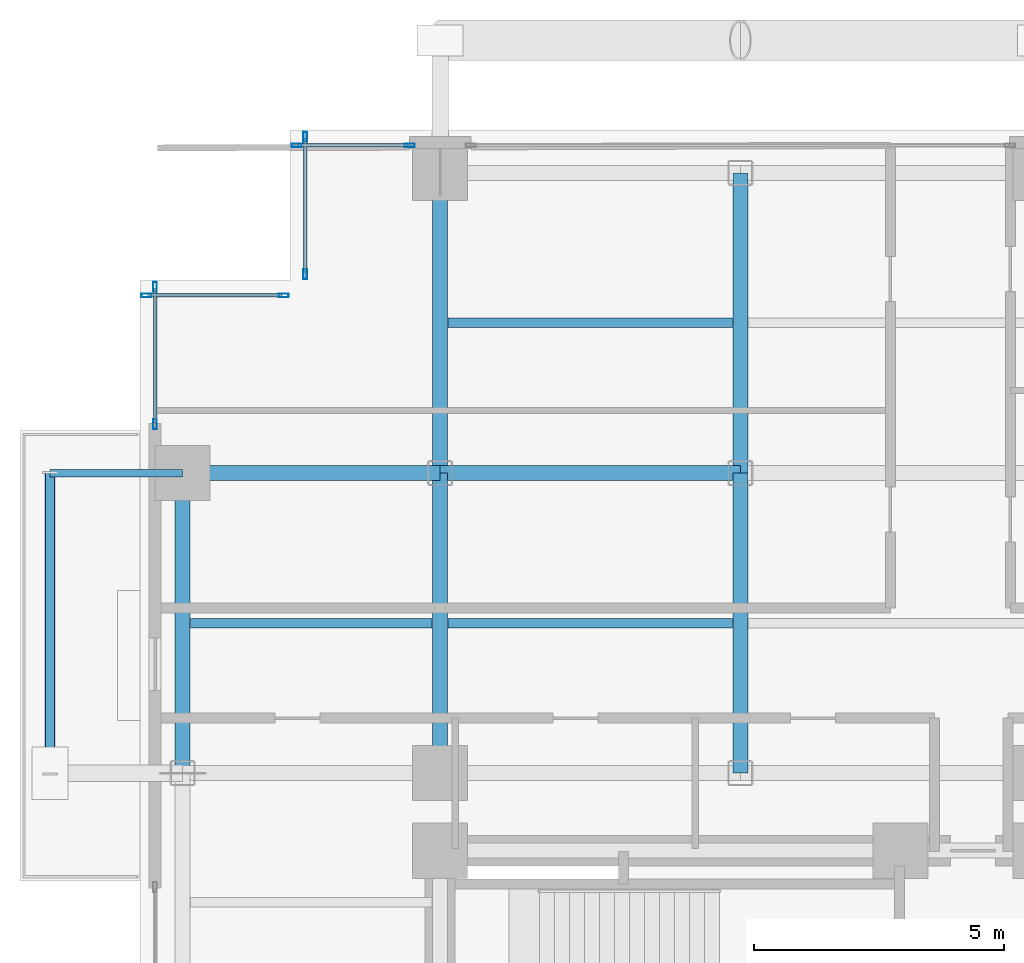
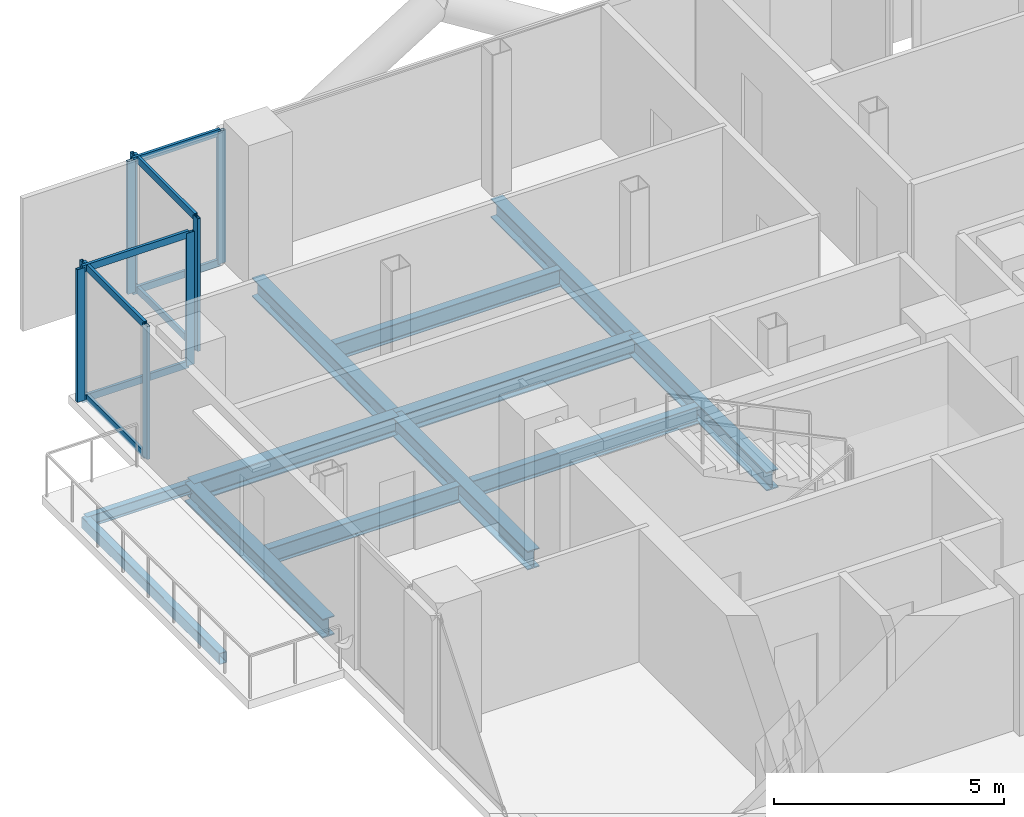
# One storey, part 15 of 28: 16 members, 12 beams, 4 elements without a shape of their own.
"""IFC4 building model written with IfcOpenShell, lengths in metres."""

from ifc_helpers import new_model, si_unit, direction, frame, origin, origin_2d, place, context, subcontext, project, spatial, hollow_rectangle, i_section, extrude, material, layer, layer_set, material_profile, profile_set, type_object, element, aggregate, save


model = new_model("IFC4")

# Units and contexts
model_context = context("Model", 3, precision=1e-05, world=origin(), true_north=direction((0.0, 1.0)))
body_context = subcontext(model_context, "Body", "Model", "MODEL_VIEW")
ifc_project = project(units=[si_unit("LENGTHUNIT", "METRE"), si_unit("AREAUNIT", "SQUARE_METRE"), si_unit("VOLUMEUNIT", "CUBIC_METRE"), si_unit("PLANEANGLEUNIT", "RADIAN"), si_unit("MASSUNIT", "GRAM", prefix="KILO"), si_unit("THERMODYNAMICTEMPERATUREUNIT", "KELVIN"), si_unit("POWERUNIT", "WATT")], contexts=[model_context])

# Site, building, storey
site_placement = place(None, origin())
site = spatial("IfcSite", under=ifc_project, at=site_placement, CompositionType="ELEMENT")
building_placement = place(site_placement, origin())
building = spatial("IfcBuilding", under=site, at=building_placement, Name="Svarakhadi Broadcast Tower", CompositionType="ELEMENT")
storey_placement = place(building_placement, frame((0.0, 0.0, 149.39990234375)))
storey = spatial("IfcBuildingStorey", under=building, at=storey_placement, Name="L36", CompositionType="ELEMENT", Elevation=149.39990234375)

# Beams
ifc_material_1 = material(Name="Steel S355J2 (IS 2062 E350C)", Category="steel")
ifc_material_profile_1 = material_profile(ifc_material_1, i_section(OverallWidth=0.18994140625, OverallDepth=0.449951171875, WebThickness=0.009521484375, FlangeThickness=0.0146484375, FilletRadius=0.02099609375, at=origin_2d()), Name="NPB 450x190x78")
ifc_profile_set_1 = profile_set([ifc_material_profile_1], Name="Steel S355J2 (IS 2062 E350C)")
beam_type_1 = type_object("IfcBeamType", Name="Beam_NPB450", PredefinedType="BEAM", material=ifc_profile_set_1)
beam_1_placement = place(storey_placement, frame((1.010009765625, 32.14990234375, -0.449951171875), z_axis=(1.0, 0.0, 0.0), x_axis=(0.0, 1.0, 0.0)))
element("IfcBeam", 1, at=beam_1_placement, inside=storey, type_object=beam_type_1, Name="L36 Secondary Composite Beam SB005", PredefinedType="BEAM", context=body_context, shape_type="SweptSolid", body=[
    extrude(i_section(OverallWidth=0.18994140625, OverallDepth=0.449951171875, WebThickness=0.009521484375, FlangeThickness=0.0146484375, FilletRadius=0.02099609375, at=origin_2d()), origin(), (0.0, 0.0, 1.0), 4.830078125),
])
for number, where, z_axis, x_axis, name in (
    (2, (6.159912109375, 32.14990234375, -0.449951171875), (1.0, 0.0, 0.0), (0.0, 1.0, 0.0), "L36 Secondary Composite Beam SB009"),
    (3, (6.159912109375, 38.14990234375, -0.449951171875), (1.0, 0.0, 0.0), (0.0, 1.0, 0.0), "L36 Secondary Composite Beam SB010"),
):
    element("IfcBeam", number, at=place(storey_placement, frame(where, z_axis=z_axis, x_axis=x_axis)), inside=storey, type_object=beam_type_1, Name=name, PredefinedType="BEAM", context=body_context, shape_type="SweptSolid", body=[
        extrude(i_section(OverallWidth=0.18994140625, OverallDepth=0.449951171875, WebThickness=0.009521484375, FlangeThickness=0.0146484375, FilletRadius=0.02099609375, at=origin_2d()), origin(), (0.0, 0.0, 1.0), 5.68017578125),
    ])

# Curtain wall, members
ifc_material_2 = material(Name="Anodised Bronze Aluminium AA 6063-T6", Category="aluminium")
ifc_layer = layer(ifc_material_2, 0.199951171875)
ifc_layer_set = layer_set([ifc_layer], Name="Anodised Bronze Aluminium AA 6063-T6")
curtain_wall_type = type_object("IfcCurtainWallType", Name="CW_Sys_03", PredefinedType="NOTDEFINED", material=ifc_layer_set)
curtain_wall_1_placement = place(storey_placement, origin())
curtain_wall_1 = element("IfcCurtainWall", 4, at=curtain_wall_1_placement, inside=storey, type_object=curtain_wall_type, Name="L36 West Curtain Wall 03", PredefinedType="NOTDEFINED")
ifc_material_profile_2 = material_profile(ifc_material_2, hollow_rectangle(XDim=0.074951171875, YDim=0.199951171875, WallThickness=0.005615234375, at=origin_2d()), Name="ALU MULLION 200x75x6")
ifc_profile_set_2 = profile_set([ifc_material_profile_2], Name="Anodised Bronze Aluminium AA 6063-T6")
member_type_1 = type_object("IfcMemberType", Name="CW_Sys_03_Mul", PredefinedType="MULLION", material=ifc_profile_set_2)
member_1_placement = place(storey_placement, frame((0.300048828125, 36.12744140625, 0.0), z_axis=(0.0, 0.0, 1.0), x_axis=(-1.0, 0.0, 0.0)))
member_1 = element("IfcMember", 5, at=member_1_placement, type_object=member_type_1, Name="CW-03 mullion 1", PredefinedType="MULLION", context=body_context, shape_type="SweptSolid", body=[
    extrude(hollow_rectangle(XDim=0.074951171875, YDim=0.199951171875, WallThickness=0.005615234375, at=origin_2d()), origin(), (0.0, 0.0, 1.0), 3.525146484375),
])
member_2_placement = place(storey_placement, frame((0.300048828125, 38.87255859375, 0.0), z_axis=(0.0, 0.0, 1.0), x_axis=(-1.0, 0.0, 0.0)))
member_2 = element("IfcMember", 6, at=member_2_placement, type_object=member_type_1, Name="CW-03 mullion 2", PredefinedType="MULLION", context=body_context, shape_type="SweptSolid", body=[
    extrude(hollow_rectangle(XDim=0.074951171875, YDim=0.199951171875, WallThickness=0.005615234375, at=origin_2d()), origin(), (0.0, 0.0, 1.0), 3.525146484375),
])

curtain_wall_2_placement = place(storey_placement, origin())
curtain_wall_2 = element("IfcCurtainWall", 7, at=curtain_wall_2_placement, inside=storey, type_object=curtain_wall_type, Name="L36 Unitised Facade Curtain Wall 04", PredefinedType="NOTDEFINED")
member_3_placement = place(storey_placement, frame((0.12744140625, 38.699951171875, 0.0), z_axis=(0.0, 0.0, 1.0), x_axis=(0.0, 1.0, 0.0)))
member_3 = element("IfcMember", 8, at=member_3_placement, type_object=member_type_1, Name="CW-03 mullion 1", PredefinedType="MULLION", context=body_context, shape_type="SweptSolid", body=[
    extrude(hollow_rectangle(XDim=0.074951171875, YDim=0.199951171875, WallThickness=0.005615234375, at=origin_2d()), origin(), (0.0, 0.0, 1.0), 3.525146484375),
])
member_4_placement = place(storey_placement, frame((2.87255859375, 38.699951171875, 0.0), z_axis=(0.0, 0.0, 1.0), x_axis=(0.0, 1.0, 0.0)))
member_4 = element("IfcMember", 9, at=member_4_placement, type_object=member_type_1, Name="CW-03 mullion 2", PredefinedType="MULLION", context=body_context, shape_type="SweptSolid", body=[
    extrude(hollow_rectangle(XDim=0.074951171875, YDim=0.199951171875, WallThickness=0.005615234375, at=origin_2d()), origin(), (0.0, 0.0, 1.0), 3.525146484375),
])

curtain_wall_3_placement = place(storey_placement, origin())
curtain_wall_3 = element("IfcCurtainWall", 10, at=curtain_wall_3_placement, inside=storey, type_object=curtain_wall_type, Name="L36 Unitised Facade Curtain Wall 05", PredefinedType="NOTDEFINED")
member_5_placement = place(storey_placement, frame((3.300048828125, 39.12744140625, 0.0), z_axis=(0.0, 0.0, 1.0), x_axis=(-1.0, 0.0, 0.0)))
member_5 = element("IfcMember", 11, at=member_5_placement, type_object=member_type_1, Name="CW-03 mullion 1", PredefinedType="MULLION", context=body_context, shape_type="SweptSolid", body=[
    extrude(hollow_rectangle(XDim=0.074951171875, YDim=0.199951171875, WallThickness=0.005615234375, at=origin_2d()), origin(), (0.0, 0.0, 1.0), 3.525146484375),
])
member_6_placement = place(storey_placement, frame((3.300048828125, 41.87255859375, 0.0), z_axis=(0.0, 0.0, 1.0), x_axis=(-1.0, 0.0, 0.0)))
member_6 = element("IfcMember", 12, at=member_6_placement, type_object=member_type_1, Name="CW-03 mullion 2", PredefinedType="MULLION", context=body_context, shape_type="SweptSolid", body=[
    extrude(hollow_rectangle(XDim=0.074951171875, YDim=0.199951171875, WallThickness=0.005615234375, at=origin_2d()), origin(), (0.0, 0.0, 1.0), 3.525146484375),
])

curtain_wall_4_placement = place(storey_placement, origin())
curtain_wall_4 = element("IfcCurtainWall", 13, at=curtain_wall_4_placement, inside=storey, type_object=curtain_wall_type, Name="L36 Unitised Facade Curtain Wall 06 Bay 1", PredefinedType="NOTDEFINED")
member_7_placement = place(storey_placement, frame((3.12744140625, 41.699951171875, 0.0), z_axis=(0.0, 0.0, 1.0), x_axis=(0.0, 1.0, 0.0)))
member_7 = element("IfcMember", 14, at=member_7_placement, type_object=member_type_1, Name="CW-03 mullion 1", PredefinedType="MULLION", context=body_context, shape_type="SweptSolid", body=[
    extrude(hollow_rectangle(XDim=0.074951171875, YDim=0.199951171875, WallThickness=0.005615234375, at=origin_2d()), origin(), (0.0, 0.0, 1.0), 3.525146484375),
])
member_8_placement = place(storey_placement, frame((5.392578125, 41.699951171875, 0.0), z_axis=(0.0, 0.0, 1.0), x_axis=(0.0, 1.0, 0.0)))
member_8 = element("IfcMember", 15, at=member_8_placement, type_object=member_type_1, Name="CW-03 mullion 2", PredefinedType="MULLION", context=body_context, shape_type="SweptSolid", body=[
    extrude(hollow_rectangle(XDim=0.074951171875, YDim=0.199951171875, WallThickness=0.005615234375, at=origin_2d()), origin(), (0.0, 0.0, 1.0), 3.525146484375),
])

# Member
ifc_material_profile_3 = material_profile(ifc_material_2, hollow_rectangle(XDim=0.070068359375, YDim=0.18505859375, WallThickness=0.0048828125, at=origin_2d()), Name="ALU TRANSOM 185x70x5")
ifc_profile_set_3 = profile_set([ifc_material_profile_3], Name="Anodised Bronze Aluminium AA 6063-T6")
member_type_2 = type_object("IfcMemberType", Name="CW_Sys_03_Trn", PredefinedType="USERDEFINED", material=ifc_profile_set_3)
member_9_placement = place(storey_placement, frame((0.300048828125, 36.1650390625, 0.03515625), z_axis=(0.0, 1.0, 0.0), x_axis=(-1.0, 0.0, 0.0)))
member_9 = element("IfcMember", 16, at=member_9_placement, type_object=member_type_2, Name="CW-03 transom 1.1", ObjectType="TRANSOM", PredefinedType="USERDEFINED", context=body_context, shape_type="SweptSolid", body=[
    extrude(hollow_rectangle(XDim=0.070068359375, YDim=0.18505859375, WallThickness=0.0048828125, at=origin_2d()), origin(), (0.0, 0.0, 1.0), 2.669921875),
])

member_10_placement = place(storey_placement, frame((0.300048828125, 36.1650390625, 3.489990234375), z_axis=(0.0, 1.0, 0.0), x_axis=(-1.0, 0.0, 0.0)))
member_10 = element("IfcMember", 17, at=member_10_placement, type_object=member_type_2, Name="CW-03 transom 1.2", ObjectType="TRANSOM", PredefinedType="USERDEFINED", context=body_context, shape_type="SweptSolid", body=[
    extrude(hollow_rectangle(XDim=0.070068359375, YDim=0.18505859375, WallThickness=0.0048828125, at=origin_2d()), origin(), (0.0, 0.0, 1.0), 2.669921875),
])

aggregate(curtain_wall_1, [member_1, member_2, member_9, member_10])

member_11_placement = place(storey_placement, frame((0.1650390625, 38.699951171875, 0.03515625), z_axis=(1.0, 0.0, 0.0), x_axis=(0.0, 1.0, 0.0)))
member_11 = element("IfcMember", 18, at=member_11_placement, type_object=member_type_2, Name="CW-03 transom 1.1", ObjectType="TRANSOM", PredefinedType="USERDEFINED", context=body_context, shape_type="SweptSolid", body=[
    extrude(hollow_rectangle(XDim=0.070068359375, YDim=0.18505859375, WallThickness=0.0048828125, at=origin_2d()), origin(), (0.0, 0.0, 1.0), 2.669921875),
])

member_12_placement = place(storey_placement, frame((0.1650390625, 38.699951171875, 3.489990234375), z_axis=(1.0, 0.0, 0.0), x_axis=(0.0, 1.0, 0.0)))
member_12 = element("IfcMember", 19, at=member_12_placement, type_object=member_type_2, Name="CW-03 transom 1.2", ObjectType="TRANSOM", PredefinedType="USERDEFINED", context=body_context, shape_type="SweptSolid", body=[
    extrude(hollow_rectangle(XDim=0.070068359375, YDim=0.18505859375, WallThickness=0.0048828125, at=origin_2d()), origin(), (0.0, 0.0, 1.0), 2.669921875),
])

aggregate(curtain_wall_2, [member_3, member_4, member_11, member_12])

member_13_placement = place(storey_placement, frame((3.300048828125, 39.1650390625, 0.03515625), z_axis=(0.0, 1.0, 0.0), x_axis=(-1.0, 0.0, 0.0)))
member_13 = element("IfcMember", 20, at=member_13_placement, type_object=member_type_2, Name="CW-03 transom 1.1", ObjectType="TRANSOM", PredefinedType="USERDEFINED", context=body_context, shape_type="SweptSolid", body=[
    extrude(hollow_rectangle(XDim=0.070068359375, YDim=0.18505859375, WallThickness=0.0048828125, at=origin_2d()), origin(), (0.0, 0.0, 1.0), 2.669921875),
])

member_14_placement = place(storey_placement, frame((3.300048828125, 39.1650390625, 3.489990234375), z_axis=(0.0, 1.0, 0.0), x_axis=(-1.0, 0.0, 0.0)))
member_14 = element("IfcMember", 21, at=member_14_placement, type_object=member_type_2, Name="CW-03 transom 1.2", ObjectType="TRANSOM", PredefinedType="USERDEFINED", context=body_context, shape_type="SweptSolid", body=[
    extrude(hollow_rectangle(XDim=0.070068359375, YDim=0.18505859375, WallThickness=0.0048828125, at=origin_2d()), origin(), (0.0, 0.0, 1.0), 2.669921875),
])

aggregate(curtain_wall_3, [member_5, member_6, member_13, member_14])

member_15_placement = place(storey_placement, frame((3.1650390625, 41.699951171875, 0.03515625), z_axis=(1.0, 0.0, 0.0), x_axis=(0.0, 1.0, 0.0)))
member_15 = element("IfcMember", 22, at=member_15_placement, type_object=member_type_2, Name="CW-03 transom 1.1", ObjectType="TRANSOM", PredefinedType="USERDEFINED", context=body_context, shape_type="SweptSolid", body=[
    extrude(hollow_rectangle(XDim=0.070068359375, YDim=0.18505859375, WallThickness=0.0048828125, at=origin_2d()), origin(), (0.0, 0.0, 1.0), 2.18994140625),
])

member_16_placement = place(storey_placement, frame((3.1650390625, 41.699951171875, 3.489990234375), z_axis=(1.0, 0.0, 0.0), x_axis=(0.0, 1.0, 0.0)))
member_16 = element("IfcMember", 23, at=member_16_placement, type_object=member_type_2, Name="CW-03 transom 1.2", ObjectType="TRANSOM", PredefinedType="USERDEFINED", context=body_context, shape_type="SweptSolid", body=[
    extrude(hollow_rectangle(XDim=0.070068359375, YDim=0.18505859375, WallThickness=0.0048828125, at=origin_2d()), origin(), (0.0, 0.0, 1.0), 2.18994140625),
])

aggregate(curtain_wall_4, [member_7, member_8, member_15, member_16])

# Beams
ifc_material_profile_4 = material_profile(ifc_material_1, i_section(OverallWidth=0.300048828125, OverallDepth=0.5, WebThickness=0.014404296875, FlangeThickness=0.028076171875, FilletRadius=0.027099609375, at=origin_2d()), Name="WPB 500x300x187")
ifc_profile_set_4 = profile_set([ifc_material_profile_4], Name="Steel S355J2 (IS 2062 E350C)")
beam_type_2 = type_object("IfcBeamType", Name="Girder_WPB500", PredefinedType="USERDEFINED", material=ifc_profile_set_4)
beam_2_placement = place(storey_placement, frame((0.85009765625, 35.14990234375, -0.474853515625), z_axis=(1.0, 0.0, 0.0), x_axis=(0.0, 1.0, 0.0)))
element("IfcBeam", 24, at=beam_2_placement, inside=storey, type_object=beam_type_2, Name="L36 Primary E-W Girder G035", ObjectType="GIRDER", PredefinedType="USERDEFINED", context=body_context, shape_type="SweptSolid", body=[
    extrude(i_section(OverallWidth=0.300048828125, OverallDepth=0.5, WebThickness=0.014404296875, FlangeThickness=0.028076171875, FilletRadius=0.027099609375, at=origin_2d()), origin(), (0.0, 0.0, 1.0), 5.14990234375),
])
for number, where, z_axis, x_axis, name in (
    (25, (6.0, 35.14990234375, -0.474853515625), (1.0, 0.0, 0.0), (0.0, 1.0, 0.0), "L36 Primary E-W Girder G036"),
    (26, (0.85009765625, 29.14990234375, -0.474853515625), (0.0, 1.0, 0.0), (-1.0, 0.0, 0.0), "L36 Primary N-S Girder G044"),
    (27, (6.0, 29.14990234375, -0.474853515625), (0.0, 1.0, 0.0), (-1.0, 0.0, 0.0), "L36 Primary N-S Girder G049"),
    (28, (6.0, 35.14990234375, -0.474853515625), (0.0, 1.0, 0.0), (-1.0, 0.0, 0.0), "L36 Primary N-S Girder G050"),
    (29, (12.0, 29.14990234375, -0.474853515625), (0.0, 1.0, 0.0), (-1.0, 0.0, 0.0), "L36 Primary N-S Girder G054"),
    (30, (12.0, 35.14990234375, -0.474853515625), (0.0, 1.0, 0.0), (-1.0, 0.0, 0.0), "L36 Primary N-S Girder G055"),
):
    element("IfcBeam", number, at=place(storey_placement, frame(where, z_axis=z_axis, x_axis=x_axis)), inside=storey, type_object=beam_type_2, Name=name, ObjectType="GIRDER", PredefinedType="USERDEFINED", context=body_context, shape_type="SweptSolid", body=[
        extrude(i_section(OverallWidth=0.300048828125, OverallDepth=0.5, WebThickness=0.014404296875, FlangeThickness=0.028076171875, FilletRadius=0.027099609375, at=origin_2d()), origin(), (0.0, 0.0, 1.0), 6.0),
    ])
ifc_material_profile_5 = material_profile(ifc_material_1, i_section(OverallWidth=0.14990234375, OverallDepth=0.300048828125, WebThickness=0.007080078125, FlangeThickness=0.0107421875, FilletRadius=0.014892578125, at=origin_2d()), Name="NPB 300x150x37")
ifc_profile_set_5 = profile_set([ifc_material_profile_5], Name="Steel S355J2 (IS 2062 E350C)")
beam_type_3 = type_object("IfcBeamType", Name="Spandrel_NPB300", PredefinedType="SPANDREL", material=ifc_profile_set_5)
beam_3_placement = place(storey_placement, frame((0.85009765625, 35.14990234375, -0.375), z_axis=(-1.0, 0.0, 0.0), x_axis=(0.0, -1.0, 0.0)))
element("IfcBeam", 31, at=beam_3_placement, inside=storey, type_object=beam_type_3, Name="L36 Balcony Cantilever Bracket 2B", PredefinedType="SPANDREL", context=body_context, shape_type="SweptSolid", body=[
    extrude(i_section(OverallWidth=0.14990234375, OverallDepth=0.300048828125, WebThickness=0.007080078125, FlangeThickness=0.0107421875, FilletRadius=0.014892578125, at=origin_2d()), origin(), (0.0, 0.0, 1.0), 2.650146484375),
])
ifc_material_3 = material(Name="Steel S460ML (IS 2062 E450BR)", Category="steel")
ifc_material_profile_6 = material_profile(ifc_material_3, hollow_rectangle(XDim=0.199951171875, YDim=0.300048828125, WallThickness=0.012451171875, InnerFilletRadius=0.012451171875, OuterFilletRadius=0.02490234375, at=origin_2d()), Name="RHS 300x200x12.5")
ifc_profile_set_6 = profile_set([ifc_material_profile_6], Name="Steel S460ML (IS 2062 E450BR)")
beam_type_4 = type_object("IfcBeamType", Name="Spandrel_RHS300", PredefinedType="SPANDREL", material=ifc_profile_set_6)
beam_4_placement = place(storey_placement, frame((-1.800048828125, 29.14990234375, -0.375), z_axis=(0.0, 1.0, 0.0), x_axis=(-1.0, 0.0, 0.0)))
element("IfcBeam", 32, at=beam_4_placement, inside=storey, type_object=beam_type_4, Name="L36 Balcony Outer Spandrel 2F", PredefinedType="SPANDREL", context=body_context, shape_type="SweptSolid", body=[
    extrude(hollow_rectangle(XDim=0.199951171875, YDim=0.300048828125, WallThickness=0.012451171875, InnerFilletRadius=0.012451171875, OuterFilletRadius=0.02490234375, at=origin_2d()), origin(), (0.0, 0.0, 1.0), 6.0),
])

save(model, "model.ifc")
